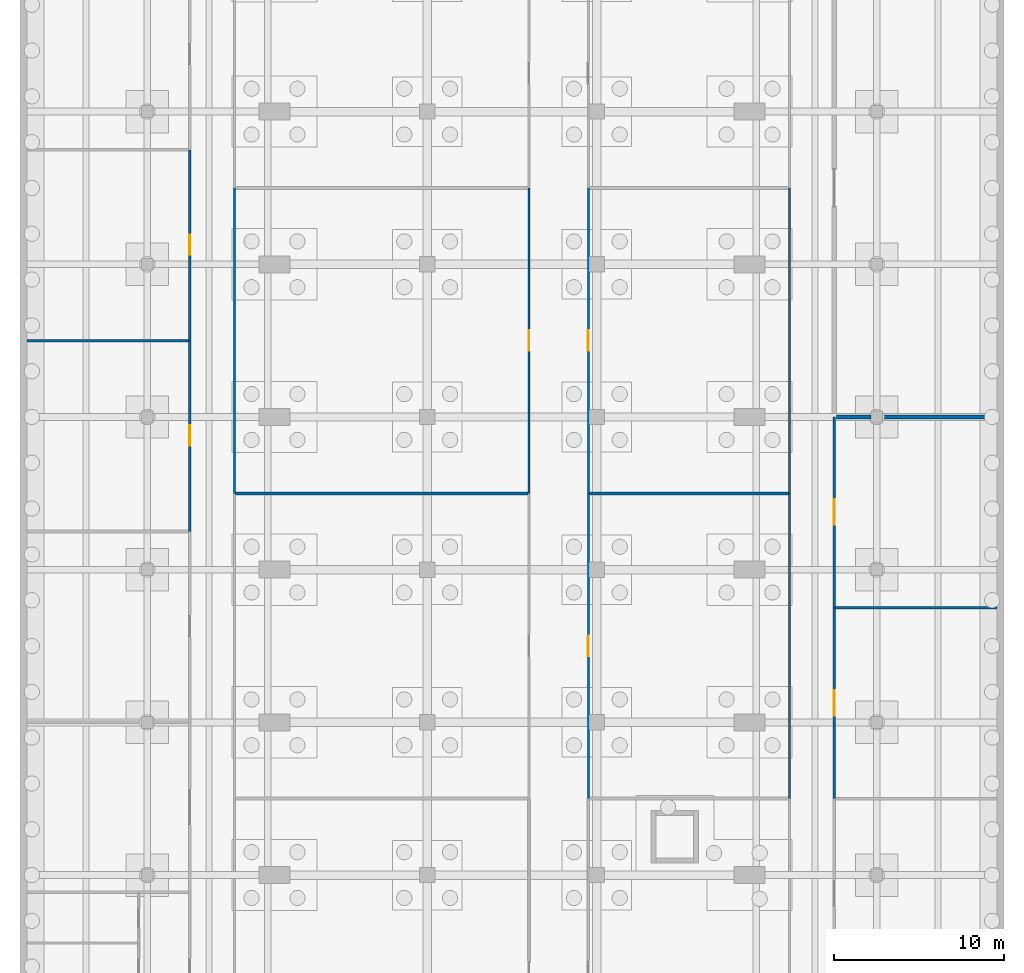
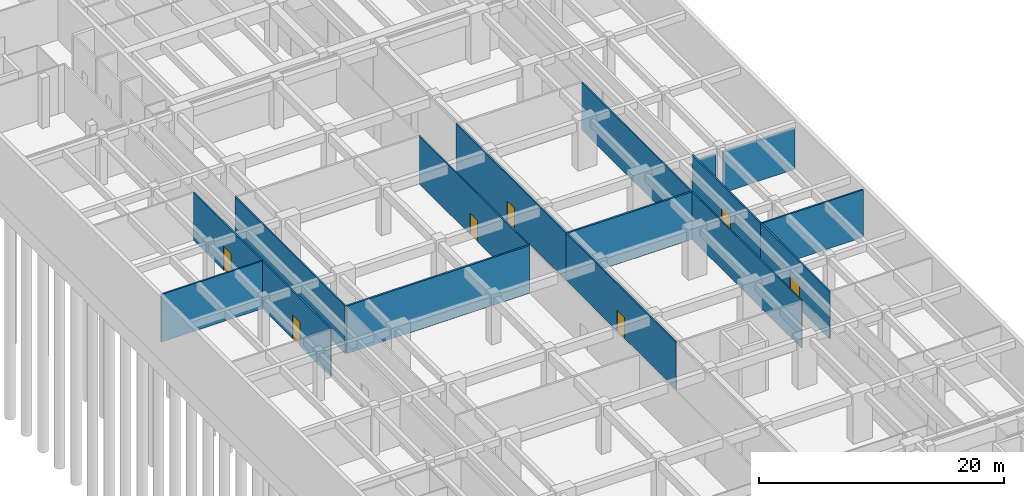
# One storey, part 12 of 19: 16 walls, 7 doors, 7 openings.
"""IFC4 building model written with IfcOpenShell, lengths in metres."""

from ifc_helpers import new_model, si_unit, direction, frame, frame_2d, origin, place, context, subcontext, project, spatial, rectangle, extrude, material, layer, layer_set, type_object, element, fill, save


model = new_model("IFC4")

# Units and contexts
model_context = context("Model", 3, precision=1e-05, world=origin(), true_north=direction((0.0, 1.0)))
body_context = subcontext(model_context, "Body", "Model", "MODEL_VIEW")
ifc_project = project(units=[si_unit("LENGTHUNIT", "METRE"), si_unit("AREAUNIT", "SQUARE_METRE"), si_unit("VOLUMEUNIT", "CUBIC_METRE"), si_unit("PLANEANGLEUNIT", "RADIAN"), si_unit("MASSUNIT", "GRAM", prefix="KILO")], contexts=[model_context])

# Site, building, storey
site_placement = place(None, origin())
site = spatial("IfcSite", under=ifc_project, at=site_placement, CompositionType="ELEMENT")
building_placement = place(site_placement, origin())
building = spatial("IfcBuilding", under=site, at=building_placement, Name="Elmora Arch Market Hall", CompositionType="ELEMENT")
storey_placement = place(building_placement, frame((0.0, 0.0, -10.0)))
storey = spatial("IfcBuildingStorey", under=building, at=storey_placement, Name="B1", CompositionType="ELEMENT", Elevation=-10.0)

# Walls
ifc_material_1 = material(Name="Blockwork", Category="masonry")
ifc_layer_1 = layer(ifc_material_1, 0.25)
ifc_layer_set_1 = layer_set([ifc_layer_1], Name="Blockwork")
wall_type_1 = type_object("IfcWallType", Name="Blockwork partition 250 EI 120", PredefinedType="PARTITIONING", material=ifc_layer_set_1)
wall_1_placement = place(storey_placement, frame((48.125, 72.0, 0.0), z_axis=(0.0, 0.0, 1.0), x_axis=(1.0, 0.0, 0.0)))
element("IfcWall", 1, at=wall_1_placement, inside=storey, type_object=wall_type_1, Name="Partition PT-B1-033-34", PredefinedType="PARTITIONING", context=body_context, shape_type="SweptSolid", body=[
    extrude(rectangle(XDim=2.02490234375, YDim=0.25, at=frame_2d((1.012451171875, 0.0))), origin(), (0.0, 0.0, 1.0), 4.050048828125),
])
wall_2_placement = place(storey_placement, frame((50.85009765625, 72.0, 0.0), z_axis=(0.0, 0.0, 1.0), x_axis=(1.0, 0.0, 0.0)))
element("IfcWall", 2, at=wall_2_placement, inside=storey, type_object=wall_type_1, Name="Partition PT-B1-033-35", PredefinedType="PARTITIONING", context=body_context, shape_type="SweptSolid", body=[
    extrude(rectangle(XDim=6.75, YDim=0.25, at=frame_2d((3.375, 0.0))), origin(), (0.0, 0.0, 1.0), 4.050048828125),
])
ifc_material_2 = material(Name="Insulated metal panel")
ifc_layer_2 = layer(ifc_material_2, 0.14990234375)
ifc_layer_set_2 = layer_set([ifc_layer_2], Name="Insulated metal panel")
wall_type_2 = type_object("IfcWallType", Name="Cold store panel 150 EI 60", PredefinedType="PARTITIONING", material=ifc_layer_set_2)
for number, where, z_axis, x_axis, name in (
    (3, (48.074951171875, 60.75, 0.0), (0.0, 0.0, 1.0), (1.0, 0.0, 0.0), "Partition PT-B1-029"),
    (4, (0.39990234375, 76.5, 0.0), (0.0, 0.0, 1.0), (1.0, 0.0, 0.0), "Partition PT-B1-034"),
):
    element("IfcWall", number, at=place(storey_placement, frame(where, z_axis=z_axis, x_axis=x_axis)), inside=storey, type_object=wall_type_2, Name=name, PredefinedType="PARTITIONING", context=body_context, shape_type="SweptSolid", body=[
        extrude(rectangle(XDim=9.525146484375, YDim=0.14990234375, at=frame_2d((4.7626953125, 0.0))), origin(), (0.0, 0.0, 1.0), 4.75),
    ])

# Wall, opening, door
wall_3_placement = place(storey_placement, frame((10.0, 65.25, 0.0), z_axis=(0.0, 0.0, 1.0), x_axis=(0.0, 1.0, 0.0)))
wall_3 = element("IfcWall", 5, at=wall_3_placement, inside=storey, type_object=wall_type_2, Name="Partition PT-B1-072", PredefinedType="PARTITIONING", context=body_context, shape_type="SweptSolid", body=[
    extrude(rectangle(XDim=11.25, YDim=0.14990234375, at=frame_2d((5.625, 0.0))), origin(), (0.0, 0.0, 1.0), 4.75),
])
opening_1_placement = place(wall_3_placement, frame((5.050048828125, 0.0, 0.0)))
opening_1 = element("IfcOpeningElement", 6, at=opening_1_placement, cuts=wall_3, Name="Opening D-B1-022", PredefinedType="OPENING", context=body_context, shape_type="SweptSolid", body=[
    extrude(rectangle(XDim=1.199951171875, YDim=2.39990234375, at=frame_2d((0.60009765625, 1.199951171875))), frame((0.0, 0.0849609375, 0.0), z_axis=(0.0, -1.0, 0.0), x_axis=(1.0, 0.0, 0.0)), (0.0, 0.0, 1.0), 0.169921875),
])
ifc_material_3 = material(Name="Insulated door panel")
door_type_1 = type_object("IfcDoorType", Name="Cold store door 1200 x 2400 FD45", OperationType="SLIDING_TO_LEFT", PredefinedType="DOOR", material=ifc_material_3)
door_1_placement = place(opening_1_placement, origin())
door_1 = element("IfcDoor", 7, at=door_1_placement, inside=storey, type_object=door_type_1, Name="D-B1-022", OperationType="SLIDING_TO_LEFT", OverallHeight=2.39990234375, OverallWidth=1.199951171875, PredefinedType="DOOR", context=body_context, shape_type="SweptSolid", body=[
    extrude(rectangle(XDim=1.199951171875, YDim=2.39990234375, at=frame_2d((0.60009765625, 1.199951171875))), frame((0.0, 0.02490234375, 0.0), z_axis=(0.0, -1.0, 0.0), x_axis=(1.0, 0.0, 0.0)), (0.0, 0.0, 1.0), 0.050048828125),
])
fill(opening_1, door_1)

wall_4_placement = place(storey_placement, frame((10.0, 76.5, 0.0), z_axis=(0.0, 0.0, 1.0), x_axis=(0.0, 1.0, 0.0)))
wall_4 = element("IfcWall", 8, at=wall_4_placement, inside=storey, type_object=wall_type_2, Name="Partition PT-B1-073", PredefinedType="PARTITIONING", context=body_context, shape_type="SweptSolid", body=[
    extrude(rectangle(XDim=11.25, YDim=0.14990234375, at=frame_2d((5.625, 0.0))), origin(), (0.0, 0.0, 1.0), 4.75),
])
opening_2_placement = place(wall_4_placement, frame((5.050048828125, 0.0, 0.0)))
opening_2 = element("IfcOpeningElement", 9, at=opening_2_placement, cuts=wall_4, Name="Opening D-B1-025", PredefinedType="OPENING", context=body_context, shape_type="SweptSolid", body=[
    extrude(rectangle(XDim=1.199951171875, YDim=2.39990234375, at=frame_2d((0.60009765625, 1.199951171875))), frame((0.0, 0.0849609375, 0.0), z_axis=(0.0, -1.0, 0.0), x_axis=(1.0, 0.0, 0.0)), (0.0, 0.0, 1.0), 0.169921875),
])
door_2_placement = place(opening_2_placement, origin())
door_2 = element("IfcDoor", 10, at=door_2_placement, inside=storey, type_object=door_type_1, Name="D-B1-025", OperationType="SLIDING_TO_LEFT", OverallHeight=2.39990234375, OverallWidth=1.199951171875, PredefinedType="DOOR", context=body_context, shape_type="SweptSolid", body=[
    extrude(rectangle(XDim=1.199951171875, YDim=2.39990234375, at=frame_2d((0.60009765625, 1.199951171875))), frame((0.0, 0.02490234375, 0.0), z_axis=(0.0, -1.0, 0.0), x_axis=(1.0, 0.0, 0.0)), (0.0, 0.0, 1.0), 0.050048828125),
])
fill(opening_2, door_2)

wall_5_placement = place(storey_placement, frame((48.0, 49.5, 0.0), z_axis=(0.0, 0.0, 1.0), x_axis=(0.0, 1.0, 0.0)))
wall_5 = element("IfcWall", 11, at=wall_5_placement, inside=storey, type_object=wall_type_2, Name="Partition PT-B1-103", PredefinedType="PARTITIONING", context=body_context, shape_type="SweptSolid", body=[
    extrude(rectangle(XDim=11.25, YDim=0.14990234375, at=frame_2d((5.625, 0.0))), origin(), (0.0, 0.0, 1.0), 4.75),
])
opening_3_placement = place(wall_5_placement, frame((4.89990234375, 0.0, 0.0)))
opening_3 = element("IfcOpeningElement", 12, at=opening_3_placement, cuts=wall_5, Name="Opening D-B1-017", PredefinedType="OPENING", context=body_context, shape_type="SweptSolid", body=[
    extrude(rectangle(XDim=1.5, YDim=2.39990234375, at=frame_2d((0.75, 1.199951171875))), frame((0.0, 0.0849609375, 0.0), z_axis=(0.0, -1.0, 0.0), x_axis=(1.0, 0.0, 0.0)), (0.0, 0.0, 1.0), 0.169921875),
])
ifc_material_4 = material(Name="Insulated door panel")
door_type_2 = type_object("IfcDoorType", Name="Cold store door 1500 x 2400 FD45", OperationType="SLIDING_TO_LEFT", PredefinedType="DOOR", material=ifc_material_4)
door_3_placement = place(opening_3_placement, origin())
door_3 = element("IfcDoor", 13, at=door_3_placement, inside=storey, type_object=door_type_2, Name="D-B1-017", OperationType="SLIDING_TO_LEFT", OverallHeight=2.39990234375, OverallWidth=1.5, PredefinedType="DOOR", context=body_context, shape_type="SweptSolid", body=[
    extrude(rectangle(XDim=1.5, YDim=2.39990234375, at=frame_2d((0.75, 1.199951171875))), frame((0.0, 0.02490234375, 0.0), z_axis=(0.0, -1.0, 0.0), x_axis=(1.0, 0.0, 0.0)), (0.0, 0.0, 1.0), 0.050048828125),
])
fill(opening_3, door_3)

wall_6_placement = place(storey_placement, frame((48.0, 60.75, 0.0), z_axis=(0.0, 0.0, 1.0), x_axis=(0.0, 1.0, 0.0)))
wall_6 = element("IfcWall", 14, at=wall_6_placement, inside=storey, type_object=wall_type_2, Name="Partition PT-B1-104", PredefinedType="PARTITIONING", context=body_context, shape_type="SweptSolid", body=[
    extrude(rectangle(XDim=11.25, YDim=0.14990234375, at=frame_2d((5.625, 0.0))), origin(), (0.0, 0.0, 1.0), 4.75),
])
opening_4_placement = place(wall_6_placement, frame((4.89990234375, 0.0, 0.0)))
opening_4 = element("IfcOpeningElement", 15, at=opening_4_placement, cuts=wall_6, Name="Opening D-B1-021", PredefinedType="OPENING", context=body_context, shape_type="SweptSolid", body=[
    extrude(rectangle(XDim=1.5, YDim=2.39990234375, at=frame_2d((0.75, 1.199951171875))), frame((0.0, 0.0849609375, 0.0), z_axis=(0.0, -1.0, 0.0), x_axis=(1.0, 0.0, 0.0)), (0.0, 0.0, 1.0), 0.169921875),
])
door_4_placement = place(opening_4_placement, origin())
door_4 = element("IfcDoor", 16, at=door_4_placement, inside=storey, type_object=door_type_2, Name="D-B1-021", OperationType="SLIDING_TO_LEFT", OverallHeight=2.39990234375, OverallWidth=1.5, PredefinedType="DOOR", context=body_context, shape_type="SweptSolid", body=[
    extrude(rectangle(XDim=1.5, YDim=2.39990234375, at=frame_2d((0.75, 1.199951171875))), frame((0.0, 0.02490234375, 0.0), z_axis=(0.0, -1.0, 0.0), x_axis=(1.0, 0.0, 0.0)), (0.0, 0.0, 1.0), 0.050048828125),
])
fill(opening_4, door_4)

# Wall
ifc_material_5 = material(Name="Gypsum board on metal studs")
ifc_layer_3 = layer(ifc_material_5, 0.125)
ifc_layer_set_3 = layer_set([ifc_layer_3], Name="Gypsum board on metal studs")
wall_type_3 = type_object("IfcWallType", Name="Partition 125 EI 60", PredefinedType="PARTITIONING", material=ifc_layer_set_3)
wall_7_placement = place(storey_placement, frame((12.64990234375, 67.5, 0.0), z_axis=(0.0, 0.0, 1.0), x_axis=(0.0, 1.0, 0.0)))
element("IfcWall", 17, at=wall_7_placement, inside=storey, type_object=wall_type_3, Name="Partition PT-B1-079", PredefinedType="PARTITIONING", context=body_context, shape_type="SweptSolid", body=[
    extrude(rectangle(XDim=18.0, YDim=0.125, at=frame_2d((9.0, 0.0))), origin(), (0.0, 0.0, 1.0), 4.75),
])

# Wall, opening, door
wall_8_placement = place(storey_placement, frame((30.0, 67.5, 0.0), z_axis=(0.0, 0.0, 1.0), x_axis=(0.0, 1.0, 0.0)))
wall_8 = element("IfcWall", 18, at=wall_8_placement, inside=storey, type_object=wall_type_3, Name="Partition PT-B1-086", PredefinedType="PARTITIONING", context=body_context, shape_type="SweptSolid", body=[
    extrude(rectangle(XDim=18.0, YDim=0.125, at=frame_2d((9.0, 0.0))), origin(), (0.0, 0.0, 1.0), 4.75),
])
opening_5_placement = place(wall_8_placement, frame((8.39990234375, 0.0, 0.0)))
opening_5 = element("IfcOpeningElement", 19, at=opening_5_placement, cuts=wall_8, Name="Opening D-B1-023", PredefinedType="OPENING", context=body_context, shape_type="SweptSolid", body=[
    extrude(rectangle(XDim=1.199951171875, YDim=2.10009765625, at=frame_2d((0.60009765625, 1.050048828125))), frame((0.0, 0.072509765625, 0.0), z_axis=(0.0, -1.0, 0.0), x_axis=(1.0, 0.0, 0.0)), (0.0, 0.0, 1.0), 0.14501953125),
])
ifc_material_6 = material(Name="Steel ASTM A653 galvanised", Category="steel")
door_type_3 = type_object("IfcDoorType", Name="Door 1200 x 2100 FD45", OperationType="SINGLE_SWING_LEFT", PredefinedType="DOOR", material=ifc_material_6)
door_5_placement = place(opening_5_placement, origin())
door_5 = element("IfcDoor", 20, at=door_5_placement, inside=storey, type_object=door_type_3, Name="D-B1-023", OperationType="SINGLE_SWING_LEFT", OverallHeight=2.10009765625, OverallWidth=1.199951171875, PredefinedType="DOOR", context=body_context, shape_type="SweptSolid", body=[
    extrude(rectangle(XDim=1.199951171875, YDim=2.10009765625, at=frame_2d((0.60009765625, 1.050048828125))), frame((0.0, 0.02490234375, 0.0), z_axis=(0.0, -1.0, 0.0), x_axis=(1.0, 0.0, 0.0)), (0.0, 0.0, 1.0), 0.050048828125),
])
fill(opening_5, door_5)

wall_9_placement = place(storey_placement, frame((33.5, 49.5, 0.0), z_axis=(0.0, 0.0, 1.0), x_axis=(0.0, 1.0, 0.0)))
wall_9 = element("IfcWall", 21, at=wall_9_placement, inside=storey, type_object=wall_type_3, Name="Partition PT-B1-090", PredefinedType="PARTITIONING", context=body_context, shape_type="SweptSolid", body=[
    extrude(rectangle(XDim=18.0, YDim=0.125, at=frame_2d((9.0, 0.0))), origin(), (0.0, 0.0, 1.0), 4.75),
])
opening_6_placement = place(wall_9_placement, frame((8.39990234375, 0.0, 0.0)))
opening_6 = element("IfcOpeningElement", 22, at=opening_6_placement, cuts=wall_9, Name="Opening D-B1-019", PredefinedType="OPENING", context=body_context, shape_type="SweptSolid", body=[
    extrude(rectangle(XDim=1.199951171875, YDim=2.10009765625, at=frame_2d((0.60009765625, 1.050048828125))), frame((0.0, 0.072509765625, 0.0), z_axis=(0.0, -1.0, 0.0), x_axis=(1.0, 0.0, 0.0)), (0.0, 0.0, 1.0), 0.14501953125),
])
door_6_placement = place(opening_6_placement, frame((1.199951171875, 0.0, 0.0), z_axis=(0.0, 0.0, 1.0), x_axis=(-1.0, 0.0, 0.0)))
door_6 = element("IfcDoor", 23, at=door_6_placement, inside=storey, type_object=door_type_3, Name="D-B1-019", OperationType="SINGLE_SWING_RIGHT", OverallHeight=2.10009765625, OverallWidth=1.199951171875, PredefinedType="DOOR", context=body_context, shape_type="SweptSolid", body=[
    extrude(rectangle(XDim=1.199951171875, YDim=2.10009765625, at=frame_2d((0.60009765625, 1.050048828125))), frame((0.0, 0.02490234375, 0.0), z_axis=(0.0, -1.0, 0.0), x_axis=(1.0, 0.0, 0.0)), (0.0, 0.0, 1.0), 0.050048828125),
])
fill(opening_6, door_6)

wall_10_placement = place(storey_placement, frame((33.5, 67.5, 0.0), z_axis=(0.0, 0.0, 1.0), x_axis=(0.0, 1.0, 0.0)))
wall_10 = element("IfcWall", 24, at=wall_10_placement, inside=storey, type_object=wall_type_3, Name="Partition PT-B1-091", PredefinedType="PARTITIONING", context=body_context, shape_type="SweptSolid", body=[
    extrude(rectangle(XDim=18.0, YDim=0.125, at=frame_2d((9.0, 0.0))), origin(), (0.0, 0.0, 1.0), 4.75),
])
opening_7_placement = place(wall_10_placement, frame((8.39990234375, 0.0, 0.0)))
opening_7 = element("IfcOpeningElement", 25, at=opening_7_placement, cuts=wall_10, Name="Opening D-B1-024", PredefinedType="OPENING", context=body_context, shape_type="SweptSolid", body=[
    extrude(rectangle(XDim=1.199951171875, YDim=2.10009765625, at=frame_2d((0.60009765625, 1.050048828125))), frame((0.0, 0.072509765625, 0.0), z_axis=(0.0, -1.0, 0.0), x_axis=(1.0, 0.0, 0.0)), (0.0, 0.0, 1.0), 0.14501953125),
])
door_7_placement = place(opening_7_placement, frame((1.199951171875, 0.0, 0.0), z_axis=(0.0, 0.0, 1.0), x_axis=(-1.0, 0.0, 0.0)))
door_7 = element("IfcDoor", 26, at=door_7_placement, inside=storey, type_object=door_type_3, Name="D-B1-024", OperationType="SINGLE_SWING_RIGHT", OverallHeight=2.10009765625, OverallWidth=1.199951171875, PredefinedType="DOOR", context=body_context, shape_type="SweptSolid", body=[
    extrude(rectangle(XDim=1.199951171875, YDim=2.10009765625, at=frame_2d((0.60009765625, 1.050048828125))), frame((0.0, 0.02490234375, 0.0), z_axis=(0.0, -1.0, 0.0), x_axis=(1.0, 0.0, 0.0)), (0.0, 0.0, 1.0), 0.050048828125),
])
fill(opening_7, door_7)

# Walls
for number, where, z_axis, x_axis, name in (
    (27, (45.35009765625, 49.5, 0.0), (0.0, 0.0, 1.0), (0.0, 1.0, 0.0), "Partition PT-B1-097"),
    (28, (45.35009765625, 67.5, 0.0), (0.0, 0.0, 1.0), (0.0, 1.0, 0.0), "Partition PT-B1-098"),
):
    element("IfcWall", number, at=place(storey_placement, frame(where, z_axis=z_axis, x_axis=x_axis)), inside=storey, type_object=wall_type_3, Name=name, PredefinedType="PARTITIONING", context=body_context, shape_type="SweptSolid", body=[
        extrude(rectangle(XDim=18.0, YDim=0.125, at=frame_2d((9.0, 0.0))), origin(), (0.0, 0.0, 1.0), 4.75),
    ])
ifc_material_7 = material(Name="Gypsum board on metal studs")
ifc_layer_4 = layer(ifc_material_7, 0.175048828125)
ifc_layer_set_4 = layer_set([ifc_layer_4], Name="Gypsum board on metal studs")
wall_type_4 = type_object("IfcWallType", Name="Partition 175 EI 60", PredefinedType="PARTITIONING", material=ifc_layer_set_4)
wall_11_placement = place(storey_placement, frame((12.71240234375, 67.5, 0.0), z_axis=(0.0, 0.0, 1.0), x_axis=(1.0, 0.0, 0.0)))
element("IfcWall", 29, at=wall_11_placement, inside=storey, type_object=wall_type_4, Name="Partition PT-B1-031", PredefinedType="PARTITIONING", context=body_context, shape_type="SweptSolid", body=[
    extrude(rectangle(XDim=17.22509765625, YDim=0.175048828125, at=frame_2d((8.612548828125, 0.0))), origin(), (0.0, 0.0, 1.0), 4.75),
])
wall_12_placement = place(storey_placement, frame((33.5625, 67.5, 0.0), z_axis=(0.0, 0.0, 1.0), x_axis=(1.0, 0.0, 0.0)))
element("IfcWall", 30, at=wall_12_placement, inside=storey, type_object=wall_type_4, Name="Partition PT-B1-032", PredefinedType="PARTITIONING", context=body_context, shape_type="SweptSolid", body=[
    extrude(rectangle(XDim=11.72509765625, YDim=0.175048828125, at=frame_2d((5.862548828125, 0.0))), origin(), (0.0, 0.0, 1.0), 4.75),
])

save(model, "model.ifc")
